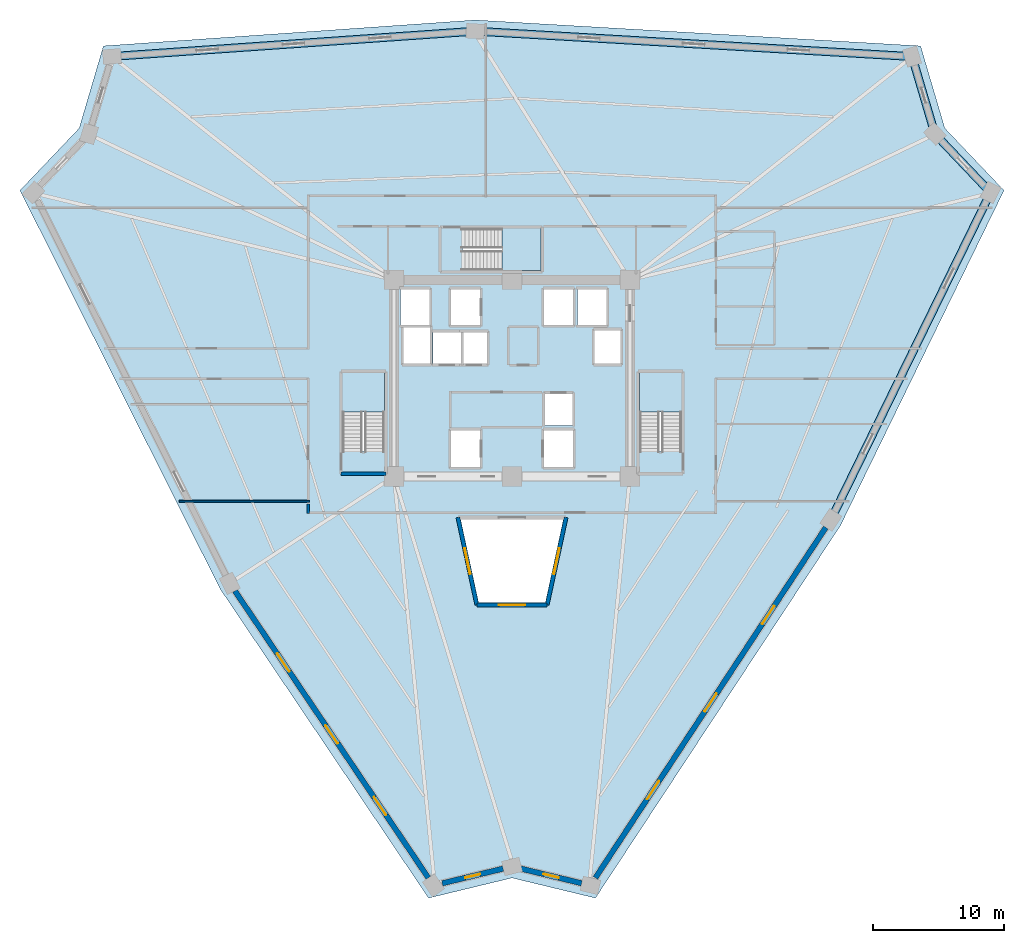
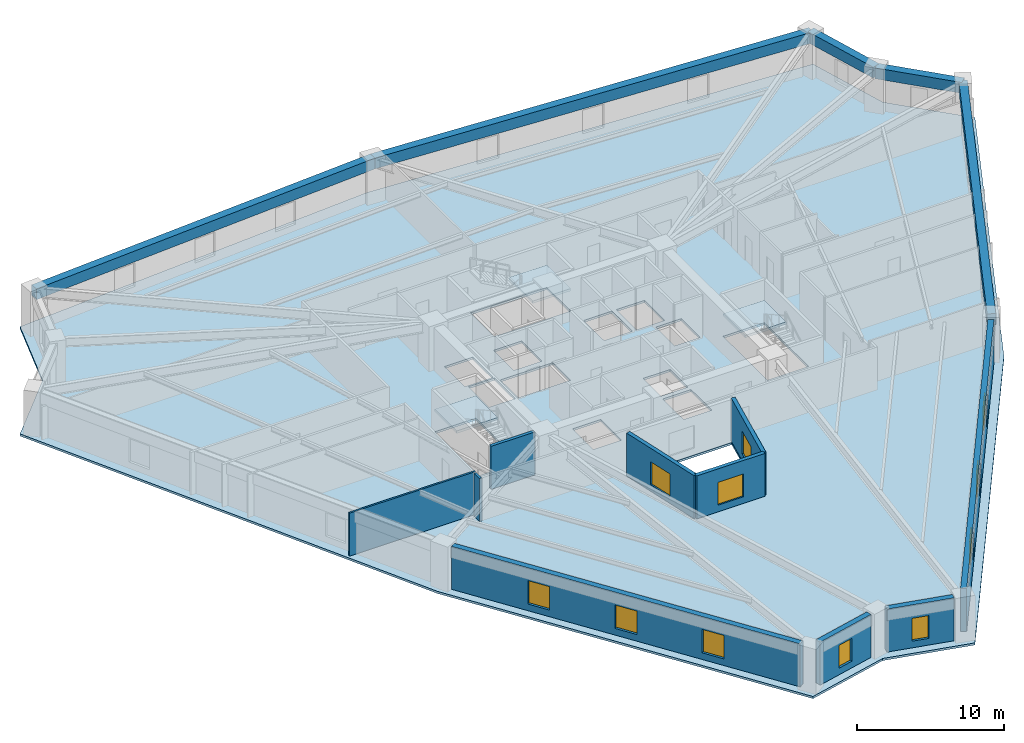
# One storey, part 2 of 7: 11 windows, 10 walls, 5 beams, 4 slabs, 11 openings, 3 elements without a shape of their own.
"""IFC4 building model written with IfcOpenShell, lengths in metres."""

import ifcopenshell
import ifcopenshell.guid

model = None  # the IFC model being written
_history = None  # IfcOwnerHistory: only IFC2X3 demands one
_inside = {}  # id of a spatial element -> (the spatial element, [elements in it])
_under = {}  # id of a project, library or spatial element -> (it, [spatial elements below it])
_declared = {}  # id of a project -> (the project, [libraries it declares])
_typed = {}  # id of a type object -> (the type object, [elements of that type])
_made_of = {}  # id of a material, layer set ... -> (it, [elements and type objects made of it])


def new_model(schema):
    """Start an empty IFC model of exactly this schema.

    Asked for "IFC4X3", IfcOpenShell would pick the latest addendum, in which some entities
    have other attributes; the version numbers below select the first issue.
    IFC2X3 requires an IfcOwnerHistory on every rooted entity: one is made here for all.
    """
    global model, _history
    if schema == "IFC4X3":
        model = ifcopenshell.file(schema_version=(4, 3, 0, 0))
    else:
        model = ifcopenshell.file(schema=schema)
    _inside.clear()
    _under.clear()
    _declared.clear()
    _typed.clear()
    _made_of.clear()
    _history = None
    if model.schema == "IFC2X3":
        org = make("IfcOrganization", Name="unknown")
        user = make(
            "IfcPersonAndOrganization",
            ThePerson=make("IfcPerson", FamilyName="unknown"),
            TheOrganization=org,
        )
        app = make(
            "IfcApplication",
            ApplicationDeveloper=org,
            Version="unknown",
            ApplicationFullName="unknown",
            ApplicationIdentifier="unknown",
        )
        _history = make(
            "IfcOwnerHistory",
            OwningUser=user,
            OwningApplication=app,
            ChangeAction="ADDED",
            CreationDate=0,
        )
    return model


def make(cls, **values):
    """One entity of the class cls with the attributes given. An attribute that is None is left unset."""
    return model.create_entity(
        cls, **{name: value for name, value in values.items() if value is not None}
    )


def rooted(cls, **values):
    """An entity with a GlobalId (a new one), such as an element, a storey or a relation."""
    return make(cls, GlobalId=ifcopenshell.guid.new(), OwnerHistory=_history, **values)


def si_unit(unit_type, name, prefix=None):
    """IfcSIUnit, for example si_unit("LENGTHUNIT", "METRE", prefix="MILLI")."""
    return make("IfcSIUnit", UnitType=unit_type, Prefix=prefix, Name=name)


def assignment(units):
    """IfcUnitAssignment: the units of a project."""
    return None if units is None else make("IfcUnitAssignment", Units=units)


def point(xyz):
    """IfcCartesianPoint."""
    return None if xyz is None else make("IfcCartesianPoint", Coordinates=xyz)


def direction(xyz):
    """IfcDirection."""
    return None if xyz is None else make("IfcDirection", DirectionRatios=xyz)


def frame(location, z_axis=None, x_axis=None):
    """IfcAxis2Placement3D, a coordinate frame: its origin and axes. An axis left out is left unset."""
    return make(
        "IfcAxis2Placement3D",
        Location=point(location),
        Axis=direction(z_axis),
        RefDirection=direction(x_axis),
    )


def frame_2d(location, x_axis=None):
    """IfcAxis2Placement2D, a coordinate frame in the plane: its origin and x axis."""
    return make(
        "IfcAxis2Placement2D", Location=point(location), RefDirection=direction(x_axis)
    )


def origin():
    """The frame at (0, 0, 0) with its axes left unset."""
    return frame((0.0, 0.0, 0.0))


def origin_2d():
    """The frame at (0, 0) in the plane with its x axis left unset."""
    return frame_2d((0.0, 0.0))


def place(relative_to, where):
    """IfcLocalPlacement: puts the frame where relative to a parent placement (None: the world)."""
    return make(
        "IfcLocalPlacement", PlacementRelTo=relative_to, RelativePlacement=where
    )


def context(
    kind, dimensions, precision=None, world=None, true_north=None, identifier=None
):
    """IfcGeometricRepresentationContext, for example the 3D "Model" context."""
    return make(
        "IfcGeometricRepresentationContext",
        ContextIdentifier=identifier,
        ContextType=kind,
        CoordinateSpaceDimension=dimensions,
        Precision=precision,
        WorldCoordinateSystem=world,
        TrueNorth=true_north,
    )


def subcontext(parent, identifier, kind, view, scale=None):
    """IfcGeometricRepresentationSubContext, for example "Body" below "Model"."""
    return make(
        "IfcGeometricRepresentationSubContext",
        ContextIdentifier=identifier,
        ContextType=kind,
        ParentContext=parent,
        TargetScale=scale,
        TargetView=view,
    )


def project(units=None, contexts=None):
    """IfcProject with its units and contexts."""
    return rooted(
        "IfcProject",
        Name="project",
        RepresentationContexts=contexts,
        UnitsInContext=assignment(units),
    )


def spatial(cls, under=None, at=None, **own):
    """A site, building, storey or space (cls), placed at a placement, below another one or the project."""
    s = rooted(cls, ObjectPlacement=at, **own)
    if under is not None:
        _under.setdefault(under.id(), (under, []))[1].append(s)
    return s


def polyline(points):
    """IfcPolyline through the points."""
    return make("IfcPolyline", Points=[point(p) for p in points])


def profile(cls, at=None, kind="AREA", **sizes):
    """A parametric profile (cls). Its sizes go by their IFC names, for example OverallWidth=200.0."""
    return make(cls, ProfileType=kind, Position=at, **sizes)


def rectangle(**sizes):
    """IfcRectangleProfileDef."""
    return profile("IfcRectangleProfileDef", **sizes)


def outline(outer, holes=None, kind="AREA"):
    """IfcArbitraryClosedProfileDef: a profile drawn as a closed curve; with holes, ...WithVoids."""
    if holes is None:
        return make("IfcArbitraryClosedProfileDef", ProfileType=kind, OuterCurve=outer)
    return make(
        "IfcArbitraryProfileDefWithVoids",
        ProfileType=kind,
        OuterCurve=outer,
        InnerCurves=holes,
    )


def extrude(swept, where, along, depth):
    """IfcExtrudedAreaSolid: the profile swept, set in the frame where, extruded along a direction by depth."""
    return make(
        "IfcExtrudedAreaSolid",
        SweptArea=swept,
        Position=where,
        ExtrudedDirection=direction(along),
        Depth=depth,
    )


def shape(context_of_items, identifier, shape_type, items):
    """IfcShapeRepresentation: the items that make up one representation, for example the "Body"."""
    return make(
        "IfcShapeRepresentation",
        ContextOfItems=context_of_items,
        RepresentationIdentifier=identifier,
        RepresentationType=shape_type,
        Items=items,
    )


def source(mapping_origin, context_of_items, identifier, shape_type, items):
    """IfcRepresentationMap: a shape defined once, which mapped items show again and again."""
    return make(
        "IfcRepresentationMap",
        MappingOrigin=mapping_origin,
        MappedRepresentation=shape(context_of_items, identifier, shape_type, items),
    )


def transform(
    local_origin,
    x_axis=None,
    y_axis=None,
    z_axis=None,
    scale=None,
    scale2=None,
    scale3=None,
    uniform=True,
):
    """IfcCartesianTransformationOperator3D, or its non-uniform kind. x_axis, y_axis, z_axis: its Axis1, 2, 3."""
    if uniform:
        return make(
            "IfcCartesianTransformationOperator3D",
            Axis1=direction(x_axis),
            Axis2=direction(y_axis),
            LocalOrigin=point(local_origin),
            Scale=scale,
            Axis3=direction(z_axis),
        )
    return make(
        "IfcCartesianTransformationOperator3DnonUniform",
        Axis1=direction(x_axis),
        Axis2=direction(y_axis),
        LocalOrigin=point(local_origin),
        Scale=scale,
        Axis3=direction(z_axis),
        Scale2=scale2,
        Scale3=scale3,
    )


def mapped(mapping_source, mapping_target):
    """IfcMappedItem: shows the shape of a source again, moved by a transform."""
    return make(
        "IfcMappedItem", MappingSource=mapping_source, MappingTarget=mapping_target
    )


def material(Name=None, Category=None):
    """IfcMaterial."""
    return make("IfcMaterial", Name=Name, Category=Category)


def layer(
    of_material, thickness, ventilated=None, Name=None, Category=None, Priority=None
):
    """IfcMaterialLayer: one layer of a wall or slab, of a material (None: an air gap)."""
    return make(
        "IfcMaterialLayer",
        Material=of_material,
        LayerThickness=thickness,
        IsVentilated=ventilated,
        Name=Name,
        Category=Category,
        Priority=Priority,
    )


def layer_set(layers, Name=None):
    """IfcMaterialLayerSet."""
    return make("IfcMaterialLayerSet", MaterialLayers=layers, LayerSetName=Name)


def material_profile(
    of_material, cross_section, Name=None, Category=None, Priority=None
):
    """IfcMaterialProfile: a cross section and its material."""
    return make(
        "IfcMaterialProfile",
        Name=Name,
        Material=of_material,
        Profile=cross_section,
        Priority=Priority,
        Category=Category,
    )


def profile_set(profiles, Name=None, composite=None):
    """IfcMaterialProfileSet."""
    return make(
        "IfcMaterialProfileSet",
        Name=Name,
        MaterialProfiles=profiles,
        CompositeProfile=composite,
    )


def made_of(thing, what):
    """Note that an element or type object is made of a material, layer set ...; save() writes the relation."""
    if what is not None:
        _made_of.setdefault(what.id(), (what, []))[1].append(thing)
    return thing


def type_object(cls, material=None, **own):
    """A type object (cls), such as IfcWallType, which elements share."""
    return made_of(rooted(cls, **own), material)


def element(
    cls,
    number,
    at=None,
    inside=None,
    cuts=None,
    type_object=None,
    material=None,
    context=None,
    identifier="Body",
    shape_type=None,
    held_by="IfcProductDefinitionShape",
    body=None,
    shapes=None,
    **own,
):
    """One element of the class cls, such as IfcWall. Its Tag is "e" and its number.

    at: its placement. inside: the storey or other place that contains it. cuts: it is an
    opening in that element (IfcRelVoidsElement). A single representation is given by context,
    identifier, shape_type and body (its items); several are given by shapes. held_by: the class
    of the entity that holds the representations. save() writes the other relations.
    """
    e = rooted(cls, Tag="e%d" % number, ObjectPlacement=at, **own)
    if body is not None:
        shapes = [shape(context, identifier, shape_type, body)]
    if shapes is not None:
        e.Representation = make(held_by, Representations=shapes)
    if inside is not None:
        _inside.setdefault(inside.id(), (inside, []))[1].append(e)
    if cuts is not None:
        rooted(
            "IfcRelVoidsElement", RelatingBuildingElement=cuts, RelatedOpeningElement=e
        )
    if type_object is not None:
        _typed.setdefault(type_object.id(), (type_object, []))[1].append(e)
    return made_of(e, material)


def fill(opening, filler):
    """IfcRelFillsElement: the door or window that sits in an opening."""
    return rooted(
        "IfcRelFillsElement",
        RelatingOpeningElement=opening,
        RelatedBuildingElement=filler,
    )


def aggregate(whole, parts):
    """IfcRelAggregates: a whole, such as a stair, and the parts it consists of."""
    return rooted("IfcRelAggregates", RelatingObject=whole, RelatedObjects=parts)


def save(model, path):
    """Write the relations noted so far, then the file.

    IfcRelAggregates (storeys below a building ...), IfcRelContainedInSpatialStructure (elements
    in a storey), IfcRelDefinesByType, IfcRelAssociatesMaterial and IfcRelDeclares: one each for
    every whole, place, type object, material and project.
    """
    for whole, parts in _under.values():
        aggregate(whole, parts)
    for where, things in _inside.values():
        rooted(
            "IfcRelContainedInSpatialStructure",
            RelatedElements=things,
            RelatingStructure=where,
        )
    for kind, things in _typed.values():
        rooted("IfcRelDefinesByType", RelatedObjects=things, RelatingType=kind)
    for what, things in _made_of.values():
        rooted("IfcRelAssociatesMaterial", RelatedObjects=things, RelatingMaterial=what)
    for by, libraries in _declared.values():
        rooted("IfcRelDeclares", RelatingContext=by, RelatedDefinitions=libraries)
    model.write(path)


model = new_model("IFC4")

# Units and contexts
model_context = context("Model", 3, precision=1e-05, world=origin(), true_north=direction((0.0, 1.0)))
body_context = subcontext(model_context, "Body", "Model", "MODEL_VIEW")
ifc_project = project(units=[si_unit("LENGTHUNIT", "METRE"), si_unit("AREAUNIT", "SQUARE_METRE"), si_unit("VOLUMEUNIT", "CUBIC_METRE"), si_unit("PLANEANGLEUNIT", "RADIAN"), si_unit("MASSUNIT", "GRAM", prefix="KILO")], contexts=[model_context])

# Site, building, storey
site_placement = place(None, origin())
site = spatial("IfcSite", under=ifc_project, at=site_placement, CompositionType="ELEMENT")
building_placement = place(site_placement, origin())
building = spatial("IfcBuilding", under=site, at=building_placement, Name="Liaohun Quay Tower", CompositionType="ELEMENT")
storey_placement = place(building_placement, frame((0.0, 0.0, 120.75)))
storey = spatial("IfcBuildingStorey", under=building, at=storey_placement, Name="L31", CompositionType="ELEMENT", Elevation=120.75)

# Beams
ifc_material_1 = material(Name="Precast concrete C55", Category="concrete")
ifc_material_profile = material_profile(ifc_material_1, rectangle(XDim=0.60009765625, YDim=0.89990234375, at=origin_2d()), Name="RC600x900")
ifc_profile_set = profile_set([ifc_material_profile], Name="Precast concrete C55")
beam_type = type_object("IfcBeamType", Name="BM-SPD-Z2", PredefinedType="SPANDREL", material=ifc_profile_set)
shared_shape_1 = source(origin(), body_context, "Body", "SweptSolid", [
    extrude(rectangle(XDim=0.60009765625, YDim=0.89990234375, at=origin_2d()), origin(), (0.0, 0.0, 1.0), 27.793212890625),
])
beam_1_placement = place(storey_placement, frame((29.472900390625, 78.54296875, 3.1201171875), z_axis=(0.997580714148, 0.069517758588, 0.0), x_axis=(-0.069517758588, 0.997580714148, 0.0)))
element("IfcBeam", 1, at=beam_1_placement, inside=storey, type_object=beam_type, Name="L31 Precast Spandrel Beam PC05-PC06", PredefinedType="SPANDREL", context=body_context, shape_type="MappedRepresentation", body=[
    mapped(shared_shape_1, transform((0.0, 0.0, 0.0), x_axis=(1.0, 0.0, 0.0), y_axis=(0.0, 1.0, 0.0), z_axis=(0.0, 0.0, 1.0), scale=1.0)),
])
shared_shape_2 = source(origin(), body_context, "Body", "SweptSolid", [
    extrude(rectangle(XDim=0.60009765625, YDim=0.89990234375, at=origin_2d()), origin(), (0.0, 0.0, 1.0), 33.386474609375),
])
beam_2_placement = place(storey_placement, frame((57.198974609375, 80.47509765625, 3.1201171875), z_axis=(0.99831171537, -0.058083723668, 0.0), x_axis=(0.058083723668, 0.99831171537, 0.0)))
element("IfcBeam", 2, at=beam_2_placement, inside=storey, type_object=beam_type, Name="L31 Precast Spandrel Beam PC06-PC07", PredefinedType="SPANDREL", context=body_context, shape_type="MappedRepresentation", body=[
    mapped(shared_shape_2, transform((0.0, 0.0, 0.0), x_axis=(1.0, 0.0, 0.0), y_axis=(0.0, 1.0, 0.0), z_axis=(0.0, 0.0, 1.0), scale=1.0)),
])
shared_shape_3 = source(origin(), body_context, "Body", "SweptSolid", [
    extrude(rectangle(XDim=0.60009765625, YDim=0.89990234375, at=origin_2d()), origin(), (0.0, 0.0, 1.0), 6.15576171875),
])
beam_3_placement = place(storey_placement, frame((90.529052734375, 78.535888671875, 3.1201171875), z_axis=(0.282657997194, -0.959220754895, 0.0), x_axis=(0.959220754895, 0.282657997194, 0.0)))
element("IfcBeam", 3, at=beam_3_placement, inside=storey, type_object=beam_type, Name="L31 Precast Spandrel Beam PC07-PC08", PredefinedType="SPANDREL", context=body_context, shape_type="MappedRepresentation", body=[
    mapped(shared_shape_3, transform((0.0, 0.0, 0.0), x_axis=(1.0, 0.0, 0.0), y_axis=(0.0, 1.0, 0.0), z_axis=(0.0, 0.0, 1.0), scale=1.0)),
])
shared_shape_4 = source(origin(), body_context, "Body", "SweptSolid", [
    extrude(rectangle(XDim=0.60009765625, YDim=0.89990234375, at=origin_2d()), origin(), (0.0, 0.0, 1.0), 6.164306640625),
])
beam_4_placement = place(storey_placement, frame((92.26904296875, 72.631103515625, 3.1201171875), z_axis=(0.689283238338, -0.724491971899, 0.0), x_axis=(0.724491971899, 0.689283238338, 0.0)))
element("IfcBeam", 4, at=beam_4_placement, inside=storey, type_object=beam_type, Name="L31 Precast Spandrel Beam PC08-PC09", PredefinedType="SPANDREL", context=body_context, shape_type="MappedRepresentation", body=[
    mapped(shared_shape_4, transform((0.0, 0.0, 0.0), x_axis=(1.0, 0.0, 0.0), y_axis=(0.0, 1.0, 0.0), z_axis=(0.0, 0.0, 1.0), scale=1.0)),
])
shared_shape_5 = source(origin(), body_context, "Body", "SweptSolid", [
    extrude(rectangle(XDim=0.60009765625, YDim=0.89990234375, at=origin_2d()), origin(), (0.0, 0.0, 1.0), 27.79248046875),
])
beam_5_placement = place(storey_placement, frame((96.51806640625, 68.1650390625, 3.1201171875), z_axis=(-0.438570044157, -0.898697010326, 0.0), x_axis=(0.898697010326, -0.438570044157, 0.0)))
element("IfcBeam", 5, at=beam_5_placement, inside=storey, type_object=beam_type, Name="L31 Precast Spandrel Beam PC09-PC10", PredefinedType="SPANDREL", context=body_context, shape_type="MappedRepresentation", body=[
    mapped(shared_shape_5, transform((0.0, 0.0, 0.0), x_axis=(1.0, 0.0, 0.0), y_axis=(0.0, 1.0, 0.0), z_axis=(0.0, 0.0, 1.0), scale=1.0)),
])

# Stair, slab
ifc_material_2 = material(Name="Concrete C45", Category="concrete")
stair_type = type_object("IfcStairType", Name="STR-CORE-OFF", PredefinedType="HALF_TURN_STAIR", material=ifc_material_2)
stair_1_placement = place(storey_placement, origin())
stair_1 = element("IfcStair", 6, at=stair_1_placement, inside=storey, type_object=stair_type, Name="L31 Smokeproof Core Exit Stair ST-1", PredefinedType="HALF_TURN_STAIR")
ifc_layer_1 = layer(ifc_material_2, 0.199951171875, Name="Concrete C45", Category="concrete")
ifc_layer_set_1 = layer_set([ifc_layer_1], Name="Concrete C45")
slab_type_1 = type_object("IfcSlabType", Name="SLB-LND-200", PredefinedType="LANDING", material=ifc_layer_set_1)
slab_1_placement = place(storey_placement, frame((0.0, 0.0, 1.675048828125)))
slab_1 = element("IfcSlab", 7, at=slab_1_placement, type_object=slab_type_1, Name="ST-1 landing 1", PredefinedType="LANDING", context=body_context, shape_type="SweptSolid", body=[
    extrude(outline(polyline([(50.280029296875, 51.429931640625), (50.280029296875, 54.419921875), (47.0400390625, 54.419921875), (47.0400390625, 51.429931640625), (50.280029296875, 51.429931640625)])), origin(), (0.0, 0.0, 1.0), 0.199951171875),
])
aggregate(stair_1, [slab_1])

stair_2_placement = place(storey_placement, origin())
stair_2 = element("IfcStair", 8, at=stair_2_placement, inside=storey, type_object=stair_type, Name="L31 Smokeproof Core Exit Stair ST-2", PredefinedType="HALF_TURN_STAIR")
slab_2_placement = place(storey_placement, frame((0.0, 0.0, 1.675048828125)))
slab_2 = element("IfcSlab", 9, at=slab_2_placement, type_object=slab_type_1, Name="ST-2 landing 1", PredefinedType="LANDING", context=body_context, shape_type="SweptSolid", body=[
    extrude(outline(polyline([(72.9599609375, 51.429931640625), (72.9599609375, 54.419921875), (69.719970703125, 54.419921875), (69.719970703125, 51.429931640625), (72.9599609375, 51.429931640625)])), origin(), (0.0, 0.0, 1.0), 0.199951171875),
])
aggregate(stair_2, [slab_2])

stair_3_placement = place(storey_placement, origin())
stair_3 = element("IfcStair", 10, at=stair_3_placement, inside=storey, type_object=stair_type, Name="L31 Smokeproof Core Exit Stair ST-3", PredefinedType="HALF_TURN_STAIR")
slab_3_placement = place(storey_placement, frame((0.0, 0.0, 1.675048828125)))
slab_3 = element("IfcSlab", 11, at=slab_3_placement, type_object=slab_type_1, Name="ST-3 landing 1", PredefinedType="LANDING", context=body_context, shape_type="SweptSolid", body=[
    extrude(outline(polyline([(59.22998046875, 62.199951171875), (62.219970703125, 62.199951171875), (62.219970703125, 65.43994140625), (59.22998046875, 65.43994140625), (59.22998046875, 62.199951171875)])), origin(), (0.0, 0.0, 1.0), 0.199951171875),
])
aggregate(stair_3, [slab_3])

# Slab
ifc_layer_2 = layer(ifc_material_2, 0.179931640625, Name="Concrete C45", Category="concrete")
ifc_layer_set_2 = layer_set([ifc_layer_2], Name="Concrete C45")
slab_type_2 = type_object("IfcSlabType", Name="SLB-OFF-180", PredefinedType="FLOOR", material=ifc_layer_set_2)
slab_4_placement = place(storey_placement, frame((0.0, 0.0, -0.179931640625)))
element("IfcSlab", 12, at=slab_4_placement, inside=storey, type_object=slab_type_2, Name="L31 Structural Floor Slab", PredefinedType="FLOOR", context=body_context, shape_type="SweptSolid", body=[
    extrude(outline(polyline([(53.633056640625, 14.326904296875), (60.0, 15.864013671875), (66.366943359375, 14.326904296875), (85.069091796875, 42.76611328125), (97.541015625, 68.322998046875), (93.02587890625, 73.068115234375), (91.175048828125, 79.35009765625), (57.194091796875, 81.326904296875), (28.824951171875, 79.35009765625), (26.97412109375, 73.068115234375), (22.458984375, 68.322998046875), (37.737060546875, 37.906982421875), (53.633056640625, 14.326904296875)]), holes=[polyline([(57.56005859375, 50.030029296875), (55.340087890625, 50.030029296875), (55.340087890625, 47.2099609375), (57.56005859375, 47.2099609375), (57.56005859375, 50.030029296875)]), polyline([(50.280029296875, 54.419921875), (47.0400390625, 54.419921875), (47.0400390625, 48.409912109375), (50.280029296875, 48.409912109375), (50.280029296875, 54.419921875)]), polyline([(53.989990234375, 55.090087890625), (58.110107421875, 55.090087890625), (58.110107421875, 57.510009765625), (53.989990234375, 57.510009765625), (53.989990234375, 55.090087890625)]), polyline([(53.760009765625, 55.090087890625), (53.760009765625, 57.909912109375), (51.7099609375, 57.909912109375), (51.7099609375, 55.090087890625), (53.760009765625, 55.090087890625)]), polyline([(53.7099609375, 58.0400390625), (53.7099609375, 60.7900390625), (51.489990234375, 60.7900390625), (51.489990234375, 58.0400390625), (53.7099609375, 58.0400390625)]), polyline([(57.56005859375, 58.0400390625), (57.56005859375, 60.7900390625), (55.340087890625, 60.7900390625), (55.340087890625, 58.0400390625), (57.56005859375, 58.0400390625)]), polyline([(62.219970703125, 62.199951171875), (62.219970703125, 65.43994140625), (56.2099609375, 65.43994140625), (56.2099609375, 62.199951171875), (62.219970703125, 62.199951171875)]), polyline([(62.5439453125, 36.862060546875), (63.9140625, 43.199951171875), (56.0859375, 43.199951171875), (57.4560546875, 36.862060546875), (62.5439453125, 36.862060546875)]), polyline([(64.659912109375, 47.2099609375), (64.659912109375, 50.030029296875), (62.43994140625, 50.030029296875), (62.43994140625, 47.2099609375), (64.659912109375, 47.2099609375)]), polyline([(72.9599609375, 54.419921875), (69.719970703125, 54.419921875), (69.719970703125, 48.409912109375), (72.9599609375, 48.409912109375), (72.9599609375, 54.419921875)]), polyline([(64.610107421875, 50.389892578125), (64.610107421875, 52.81005859375), (62.489990234375, 52.81005859375), (62.489990234375, 50.389892578125), (64.610107421875, 50.389892578125)]), polyline([(68.2900390625, 55.090087890625), (68.2900390625, 57.659912109375), (66.2900390625, 57.659912109375), (66.2900390625, 55.090087890625), (68.2900390625, 55.090087890625)]), polyline([(64.659912109375, 58.0400390625), (64.659912109375, 60.7900390625), (62.43994140625, 60.7900390625), (62.43994140625, 58.0400390625), (64.659912109375, 58.0400390625)]), polyline([(67.2099609375, 58.0400390625), (67.2099609375, 60.7900390625), (64.989990234375, 60.7900390625), (64.989990234375, 58.0400390625), (67.2099609375, 58.0400390625)])]), origin(), (0.0, 0.0, 1.0), 0.179931640625),
])

# Wall, opening, window
ifc_material_3 = material(Name="Concrete C50", Category="concrete")
ifc_layer_3 = layer(ifc_material_3, 0.300048828125, Name="Concrete C50", Category="concrete")
ifc_layer_set_3 = layer_set([ifc_layer_3], Name="Concrete C50")
wall_type_1 = type_object("IfcWallType", Name="WAL-ATR-300", PredefinedType="SOLIDWALL", material=ifc_layer_set_3)
wall_1_placement = place(storey_placement, frame((57.319091796875, 36.69189453125, 0.0), z_axis=(0.0, 0.0, 1.0), x_axis=(-0.211354012172, 0.977409577168, 0.0)))
wall_1 = element("IfcWall", 13, at=wall_1_placement, inside=storey, type_object=wall_type_1, Name="L31 Atrium Fire Compartment Wall 1", PredefinedType="SOLIDWALL", context=body_context, shape_type="SweptSolid", body=[
    extrude(rectangle(XDim=6.83251953125, YDim=0.300048828125, at=frame_2d((3.416259765625, 0.0))), origin(), (0.0, 0.0, 1.0), 3.570068359375),
])
shared_shape_6 = source(origin(), body_context, "Body", "SweptSolid", [
    extrude(rectangle(XDim=2.0, YDim=1.89990234375, at=frame_2d((1.0, 0.949951171875))), frame((0.0, 0.159912109375, 0.0), z_axis=(0.0, -1.0, 0.0), x_axis=(1.0, 0.0, 0.0)), (0.0, 0.0, 1.0), 0.320068359375),
])
opening_1_placement = place(wall_1_placement, frame((2.416015625, 0.0, 0.550048828125)))
opening_1 = element("IfcOpeningElement", 14, at=opening_1_placement, cuts=wall_1, Name="Opening W07", PredefinedType="OPENING", context=body_context, shape_type="MappedRepresentation", body=[
    mapped(shared_shape_6, transform((0.0, 0.0, 0.0), x_axis=(1.0, 0.0, 0.0), y_axis=(0.0, 1.0, 0.0), z_axis=(0.0, 0.0, 1.0), scale=1.0)),
])
ifc_material_4 = material(Name="Class A 180-min fire-resistant insulated glazing", Category="glass")
window_type_1 = type_object("IfcWindowType", Name="WIN-ATR-FIR", PartitioningType="DOUBLE_PANEL_VERTICAL", PredefinedType="WINDOW", material=ifc_material_4)
shared_shape_7 = source(origin(), body_context, "Body", "SweptSolid", [
    extrude(rectangle(XDim=2.0, YDim=1.89990234375, at=frame_2d((1.0, 0.949951171875))), frame((0.0, 0.030029296875, 0.0), z_axis=(0.0, -1.0, 0.0), x_axis=(1.0, 0.0, 0.0)), (0.0, 0.0, 1.0), 0.06005859375),
])
window_1_placement = place(opening_1_placement, origin())
window_1 = element("IfcWindow", 15, at=window_1_placement, inside=storey, type_object=window_type_1, Name="L31 Atrium Fire-Resistant Glazing W07-1", OverallHeight=1.89990234375, OverallWidth=2.0, PartitioningType="DOUBLE_PANEL_VERTICAL", PredefinedType="WINDOW", context=body_context, shape_type="MappedRepresentation", body=[
    mapped(shared_shape_7, transform((0.0, 0.0, 0.0), x_axis=(1.0, 0.0, 0.0), y_axis=(0.0, 1.0, 0.0), z_axis=(0.0, 0.0, 1.0), scale=1.0)),
])
fill(opening_1, window_1)

wall_2_placement = place(storey_placement, frame((64.125, 43.3701171875, 0.0), z_axis=(0.0, 0.0, 1.0), x_axis=(-0.211354012172, -0.977409577168, 0.0)))
wall_2 = element("IfcWall", 16, at=wall_2_placement, inside=storey, type_object=wall_type_1, Name="L31 Atrium Fire Compartment Wall 3", PredefinedType="SOLIDWALL", context=body_context, shape_type="SweptSolid", body=[
    extrude(rectangle(XDim=6.83251953125, YDim=0.300048828125, at=frame_2d((3.416259765625, 0.0))), origin(), (0.0, 0.0, 1.0), 3.570068359375),
])
opening_2_placement = place(wall_2_placement, frame((2.416015625, 0.0, 0.550048828125)))
opening_2 = element("IfcOpeningElement", 17, at=opening_2_placement, cuts=wall_2, Name="Opening W07", PredefinedType="OPENING", context=body_context, shape_type="MappedRepresentation", body=[
    mapped(shared_shape_6, transform((0.0, 0.0, 0.0), x_axis=(1.0, 0.0, 0.0), y_axis=(0.0, 1.0, 0.0), z_axis=(0.0, 0.0, 1.0), scale=1.0)),
])
window_2_placement = place(opening_2_placement, origin())
window_2 = element("IfcWindow", 18, at=window_2_placement, inside=storey, type_object=window_type_1, Name="L31 Atrium Fire-Resistant Glazing W07-3", OverallHeight=1.89990234375, OverallWidth=2.0, PartitioningType="DOUBLE_PANEL_VERTICAL", PredefinedType="WINDOW", context=body_context, shape_type="MappedRepresentation", body=[
    mapped(shared_shape_7, transform((0.0, 0.0, 0.0), x_axis=(1.0, 0.0, 0.0), y_axis=(0.0, 1.0, 0.0), z_axis=(0.0, 0.0, 1.0), scale=1.0)),
])
fill(opening_2, window_2)

wall_3_placement = place(storey_placement, frame((62.680908203125, 36.69189453125, 0.0), z_axis=(0.0, 0.0, 1.0), x_axis=(-1.0, 0.0, 0.0)))
wall_3 = element("IfcWall", 19, at=wall_3_placement, inside=storey, type_object=wall_type_1, Name="L31 Atrium Fire Compartment Wall 4", PredefinedType="SOLIDWALL", context=body_context, shape_type="SweptSolid", body=[
    extrude(rectangle(XDim=5.36181640625, YDim=0.300048828125, at=frame_2d((2.680908203125, 0.0))), origin(), (0.0, 0.0, 1.0), 3.570068359375),
])
opening_3_placement = place(wall_3_placement, frame((1.680908203125, 0.0, 0.550048828125)))
opening_3 = element("IfcOpeningElement", 20, at=opening_3_placement, cuts=wall_3, Name="Opening W07", PredefinedType="OPENING", context=body_context, shape_type="MappedRepresentation", body=[
    mapped(shared_shape_6, transform((0.0, 0.0, 0.0), x_axis=(1.0, 0.0, 0.0), y_axis=(0.0, 1.0, 0.0), z_axis=(0.0, 0.0, 1.0), scale=1.0)),
])
window_3_placement = place(opening_3_placement, origin())
window_3 = element("IfcWindow", 21, at=window_3_placement, inside=storey, type_object=window_type_1, Name="L31 Atrium Fire-Resistant Glazing W07-4", OverallHeight=1.89990234375, OverallWidth=2.0, PartitioningType="DOUBLE_PANEL_VERTICAL", PredefinedType="WINDOW", context=body_context, shape_type="MappedRepresentation", body=[
    mapped(shared_shape_7, transform((0.0, 0.0, 0.0), x_axis=(1.0, 0.0, 0.0), y_axis=(0.0, 1.0, 0.0), z_axis=(0.0, 0.0, 1.0), scale=1.0)),
])
fill(opening_3, window_3)

ifc_material_5 = material(Name="Precast concrete C50 insulated sandwich", Category="concrete")
ifc_layer_4 = layer(ifc_material_5, 0.419921875, Name="Precast concrete C50 insulated sandwich", Category="concrete")
ifc_layer_set_4 = layer_set([ifc_layer_4], Name="Precast concrete C50 insulated sandwich")
wall_type_2 = type_object("IfcWallType", Name="WAL-EXT-Z12", PredefinedType="SOLIDWALL", material=ifc_layer_set_4)
wall_4_placement = place(storey_placement, frame((60.6708984375, 16.575927734375, 0.0), z_axis=(0.0, 0.0, 1.0), x_axis=(0.972123603118, -0.23446897505, 0.0)))
wall_4 = element("IfcWall", 22, at=wall_4_placement, inside=storey, type_object=wall_type_2, Name="L31 Brutalist Precast Pier Wall 01", PredefinedType="SOLIDWALL", context=body_context, shape_type="SweptSolid", body=[
    extrude(rectangle(XDim=4.776123046875, YDim=0.419921875, at=frame_2d((2.38818359375, 0.0))), origin(), (0.0, 0.0, 1.0), 3.570068359375),
])
shared_shape_8 = source(origin(), body_context, "Body", "SweptSolid", [
    extrude(rectangle(XDim=1.199951171875, YDim=1.89990234375, at=frame_2d((0.60009765625, 0.949951171875))), frame((0.0, 0.219970703125, 0.0), z_axis=(0.0, -1.0, 0.0), x_axis=(1.0, 0.0, 0.0)), (0.0, 0.0, 1.0), 0.43994140625),
])
opening_4_placement = place(wall_4_placement, frame((1.7880859375, 0.0, 0.550048828125)))
opening_4 = element("IfcOpeningElement", 23, at=opening_4_placement, cuts=wall_4, Name="Opening W05", PredefinedType="OPENING", context=body_context, shape_type="MappedRepresentation", body=[
    mapped(shared_shape_8, transform((0.0, 0.0, 0.0), x_axis=(1.0, 0.0, 0.0), y_axis=(0.0, 1.0, 0.0), z_axis=(0.0, 0.0, 1.0), scale=1.0)),
])
ifc_material_6 = material(Name="Triple Low-E corner notch glazing", Category="glass")
window_type_2 = type_object("IfcWindowType", Name="WIN-NOTCH", PartitioningType="SINGLE_PANEL", PredefinedType="WINDOW", material=ifc_material_6)
shared_shape_9 = source(origin(), body_context, "Body", "SweptSolid", [
    extrude(rectangle(XDim=1.199951171875, YDim=1.89990234375, at=frame_2d((0.60009765625, 0.949951171875))), frame((0.0, 0.030029296875, 0.0), z_axis=(0.0, -1.0, 0.0), x_axis=(1.0, 0.0, 0.0)), (0.0, 0.0, 1.0), 0.06005859375),
])
window_4_placement = place(opening_4_placement, origin())
window_4 = element("IfcWindow", 24, at=window_4_placement, inside=storey, type_object=window_type_2, Name="L31 Corner Notch Window W05-01", OverallHeight=1.89990234375, OverallWidth=1.199951171875, PartitioningType="SINGLE_PANEL", PredefinedType="WINDOW", context=body_context, shape_type="MappedRepresentation", body=[
    mapped(shared_shape_9, transform((0.0, 0.0, 0.0), x_axis=(1.0, 0.0, 0.0), y_axis=(0.0, 1.0, 0.0), z_axis=(0.0, 0.0, 1.0), scale=1.0)),
])
fill(opening_4, window_4)

# Wall, openings, windows
wall_5_placement = place(storey_placement, frame((66.364013671875, 15.87109375, 0.0), z_axis=(0.0, 0.0, 1.0), x_axis=(0.549482134423, 0.83550546614, 0.0)))
wall_5 = element("IfcWall", 25, at=wall_5_placement, inside=storey, type_object=wall_type_2, Name="L31 Brutalist Precast Pier Wall 02", PredefinedType="SOLIDWALL", context=body_context, shape_type="SweptSolid", body=[
    extrude(rectangle(XDim=32.004638671875, YDim=0.419921875, at=frame_2d((16.00244140625, 0.0))), origin(), (0.0, 0.0, 1.0), 3.570068359375),
])
shared_shape_10 = source(origin(), body_context, "Body", "SweptSolid", [
    extrude(rectangle(XDim=1.64990234375, YDim=1.949951171875, at=frame_2d((0.824951171875, 0.97509765625))), frame((0.0, 0.219970703125, 0.0), z_axis=(0.0, -1.0, 0.0), x_axis=(1.0, 0.0, 0.0)), (0.0, 0.0, 1.0), 0.43994140625),
])
opening_5_placement = place(wall_5_placement, frame((7.176025390625, 0.0, 0.550048828125)))
opening_5 = element("IfcOpeningElement", 26, at=opening_5_placement, cuts=wall_5, Name="Opening W02", PredefinedType="OPENING", context=body_context, shape_type="MappedRepresentation", body=[
    mapped(shared_shape_10, transform((0.0, 0.0, 0.0), x_axis=(1.0, 0.0, 0.0), y_axis=(0.0, 1.0, 0.0), z_axis=(0.0, 0.0, 1.0), scale=1.0)),
])
opening_6_placement = place(wall_5_placement, frame((15.177001953125, 0.0, 0.550048828125)))
opening_6 = element("IfcOpeningElement", 27, at=opening_6_placement, cuts=wall_5, Name="Opening W02", PredefinedType="OPENING", context=body_context, shape_type="MappedRepresentation", body=[
    mapped(shared_shape_10, transform((0.0, 0.0, 0.0), x_axis=(1.0, 0.0, 0.0), y_axis=(0.0, 1.0, 0.0), z_axis=(0.0, 0.0, 1.0), scale=1.0)),
])
opening_7_placement = place(wall_5_placement, frame((23.177978515625, 0.0, 0.550048828125)))
opening_7 = element("IfcOpeningElement", 28, at=opening_7_placement, cuts=wall_5, Name="Opening W02", PredefinedType="OPENING", context=body_context, shape_type="MappedRepresentation", body=[
    mapped(shared_shape_10, transform((0.0, 0.0, 0.0), x_axis=(1.0, 0.0, 0.0), y_axis=(0.0, 1.0, 0.0), z_axis=(0.0, 0.0, 1.0), scale=1.0)),
])
ifc_material_7 = material(Name="Triple Low-E argon glazing in thermally broken aluminium", Category="aluminium")
window_type_3 = type_object("IfcWindowType", Name="WIN-PUN-Z2", PartitioningType="DOUBLE_PANEL_VERTICAL", PredefinedType="WINDOW", material=ifc_material_7)
shared_shape_11 = source(origin(), body_context, "Body", "SweptSolid", [
    extrude(rectangle(XDim=1.64990234375, YDim=1.949951171875, at=frame_2d((0.824951171875, 0.97509765625))), frame((0.0, 0.030029296875, 0.0), z_axis=(0.0, -1.0, 0.0), x_axis=(1.0, 0.0, 0.0)), (0.0, 0.0, 1.0), 0.06005859375),
])
window_5_placement = place(opening_5_placement, origin())
window_5 = element("IfcWindow", 29, at=window_5_placement, inside=storey, type_object=window_type_3, Name="L31 Recessed Cold-Climate Punched Window 02-1", OverallHeight=1.949951171875, OverallWidth=1.64990234375, PartitioningType="DOUBLE_PANEL_VERTICAL", PredefinedType="WINDOW", context=body_context, shape_type="MappedRepresentation", body=[
    mapped(shared_shape_11, transform((0.0, 0.0, 0.0), x_axis=(1.0, 0.0, 0.0), y_axis=(0.0, 1.0, 0.0), z_axis=(0.0, 0.0, 1.0), scale=1.0)),
])
fill(opening_5, window_5)
window_6_placement = place(opening_6_placement, origin())
window_6 = element("IfcWindow", 30, at=window_6_placement, inside=storey, type_object=window_type_3, Name="L31 Recessed Cold-Climate Punched Window 02-2", OverallHeight=1.949951171875, OverallWidth=1.64990234375, PartitioningType="DOUBLE_PANEL_VERTICAL", PredefinedType="WINDOW", context=body_context, shape_type="MappedRepresentation", body=[
    mapped(shared_shape_11, transform((0.0, 0.0, 0.0), x_axis=(1.0, 0.0, 0.0), y_axis=(0.0, 1.0, 0.0), z_axis=(0.0, 0.0, 1.0), scale=1.0)),
])
fill(opening_6, window_6)
window_7_placement = place(opening_7_placement, origin())
window_7 = element("IfcWindow", 31, at=window_7_placement, inside=storey, type_object=window_type_3, Name="L31 Recessed Cold-Climate Punched Window 02-3", OverallHeight=1.949951171875, OverallWidth=1.64990234375, PartitioningType="DOUBLE_PANEL_VERTICAL", PredefinedType="WINDOW", context=body_context, shape_type="MappedRepresentation", body=[
    mapped(shared_shape_11, transform((0.0, 0.0, 0.0), x_axis=(1.0, 0.0, 0.0), y_axis=(0.0, 1.0, 0.0), z_axis=(0.0, 0.0, 1.0), scale=1.0)),
])
fill(opening_7, window_7)

wall_6_placement = place(storey_placement, frame((38.85791015625, 37.764892578125, 0.0), z_axis=(0.0, 0.0, 1.0), x_axis=(0.558980308559, -0.82918092998, 0.0)))
wall_6 = element("IfcWall", 32, at=wall_6_placement, inside=storey, type_object=wall_type_2, Name="L31 Brutalist Precast Pier Wall 11", PredefinedType="SOLIDWALL", context=body_context, shape_type="SweptSolid", body=[
    extrude(rectangle(XDim=26.41259765625, YDim=0.419921875, at=frame_2d((13.206298828125, 0.0))), origin(), (0.0, 0.0, 1.0), 3.570068359375),
])
opening_8_placement = place(wall_6_placement, frame((5.778076171875, 0.0, 0.550048828125)))
opening_8 = element("IfcOpeningElement", 33, at=opening_8_placement, cuts=wall_6, Name="Opening W02", PredefinedType="OPENING", context=body_context, shape_type="MappedRepresentation", body=[
    mapped(shared_shape_10, transform((0.0, 0.0, 0.0), x_axis=(1.0, 0.0, 0.0), y_axis=(0.0, 1.0, 0.0), z_axis=(0.0, 0.0, 1.0), scale=1.0)),
])
opening_9_placement = place(wall_6_placement, frame((12.381103515625, 0.0, 0.550048828125)))
opening_9 = element("IfcOpeningElement", 34, at=opening_9_placement, cuts=wall_6, Name="Opening W02", PredefinedType="OPENING", context=body_context, shape_type="MappedRepresentation", body=[
    mapped(shared_shape_10, transform((0.0, 0.0, 0.0), x_axis=(1.0, 0.0, 0.0), y_axis=(0.0, 1.0, 0.0), z_axis=(0.0, 0.0, 1.0), scale=1.0)),
])
opening_10_placement = place(wall_6_placement, frame((18.985107421875, 0.0, 0.550048828125)))
opening_10 = element("IfcOpeningElement", 35, at=opening_10_placement, cuts=wall_6, Name="Opening W02", PredefinedType="OPENING", context=body_context, shape_type="MappedRepresentation", body=[
    mapped(shared_shape_10, transform((0.0, 0.0, 0.0), x_axis=(1.0, 0.0, 0.0), y_axis=(0.0, 1.0, 0.0), z_axis=(0.0, 0.0, 1.0), scale=1.0)),
])
window_8_placement = place(opening_8_placement, origin())
window_8 = element("IfcWindow", 36, at=window_8_placement, inside=storey, type_object=window_type_3, Name="L31 Recessed Cold-Climate Punched Window 11-1", OverallHeight=1.949951171875, OverallWidth=1.64990234375, PartitioningType="DOUBLE_PANEL_VERTICAL", PredefinedType="WINDOW", context=body_context, shape_type="MappedRepresentation", body=[
    mapped(shared_shape_11, transform((0.0, 0.0, 0.0), x_axis=(1.0, 0.0, 0.0), y_axis=(0.0, 1.0, 0.0), z_axis=(0.0, 0.0, 1.0), scale=1.0)),
])
fill(opening_8, window_8)
window_9_placement = place(opening_9_placement, origin())
window_9 = element("IfcWindow", 37, at=window_9_placement, inside=storey, type_object=window_type_3, Name="L31 Recessed Cold-Climate Punched Window 11-2", OverallHeight=1.949951171875, OverallWidth=1.64990234375, PartitioningType="DOUBLE_PANEL_VERTICAL", PredefinedType="WINDOW", context=body_context, shape_type="MappedRepresentation", body=[
    mapped(shared_shape_11, transform((0.0, 0.0, 0.0), x_axis=(1.0, 0.0, 0.0), y_axis=(0.0, 1.0, 0.0), z_axis=(0.0, 0.0, 1.0), scale=1.0)),
])
fill(opening_9, window_9)
window_10_placement = place(opening_10_placement, origin())
window_10 = element("IfcWindow", 38, at=window_10_placement, inside=storey, type_object=window_type_3, Name="L31 Recessed Cold-Climate Punched Window 11-3", OverallHeight=1.949951171875, OverallWidth=1.64990234375, PartitioningType="DOUBLE_PANEL_VERTICAL", PredefinedType="WINDOW", context=body_context, shape_type="MappedRepresentation", body=[
    mapped(shared_shape_11, transform((0.0, 0.0, 0.0), x_axis=(1.0, 0.0, 0.0), y_axis=(0.0, 1.0, 0.0), z_axis=(0.0, 0.0, 1.0), scale=1.0)),
])
fill(opening_10, window_10)

# Wall, opening, window
wall_7_placement = place(storey_placement, frame((54.678955078125, 15.4541015625, 0.0), z_axis=(0.0, 0.0, 1.0), x_axis=(0.972111905775, 0.234517467687, 0.0)))
wall_7 = element("IfcWall", 39, at=wall_7_placement, inside=storey, type_object=wall_type_2, Name="L31 Brutalist Precast Pier Wall 12", PredefinedType="SOLIDWALL", context=body_context, shape_type="SweptSolid", body=[
    extrude(rectangle(XDim=4.783447265625, YDim=0.419921875, at=frame_2d((2.3916015625, 0.0))), origin(), (0.0, 0.0, 1.0), 3.570068359375),
])
opening_11_placement = place(wall_7_placement, frame((1.7919921875, 0.0, 0.550048828125)))
opening_11 = element("IfcOpeningElement", 40, at=opening_11_placement, cuts=wall_7, Name="Opening W05", PredefinedType="OPENING", context=body_context, shape_type="MappedRepresentation", body=[
    mapped(shared_shape_8, transform((0.0, 0.0, 0.0), x_axis=(1.0, 0.0, 0.0), y_axis=(0.0, 1.0, 0.0), z_axis=(0.0, 0.0, 1.0), scale=1.0)),
])
window_11_placement = place(opening_11_placement, origin())
window_11 = element("IfcWindow", 41, at=window_11_placement, inside=storey, type_object=window_type_2, Name="L31 Corner Notch Window W05-12", OverallHeight=1.89990234375, OverallWidth=1.199951171875, PartitioningType="SINGLE_PANEL", PredefinedType="WINDOW", context=body_context, shape_type="MappedRepresentation", body=[
    mapped(shared_shape_9, transform((0.0, 0.0, 0.0), x_axis=(1.0, 0.0, 0.0), y_axis=(0.0, 1.0, 0.0), z_axis=(0.0, 0.0, 1.0), scale=1.0)),
])
fill(opening_11, window_11)

# Walls
ifc_material_8 = material(Name="Autoclaved aerated concrete blockwork", Category="masonry")
ifc_layer_5 = layer(ifc_material_8, 0.179931640625, Name="Autoclaved aerated concrete blockwork", Category="masonry")
ifc_layer_set_5 = layer_set([ifc_layer_5], Name="Autoclaved aerated concrete blockwork")
wall_type_3 = type_object("IfcWallType", Name="WAL-PRT-COR", PredefinedType="PARTITIONING", material=ifc_layer_set_5)
wall_8_placement = place(storey_placement, frame((44.43994140625, 43.669921875, 0.0), z_axis=(0.0, 0.0, 1.0), x_axis=(0.0, 1.0, 0.0)))
element("IfcWall", 42, at=wall_8_placement, inside=storey, type_object=wall_type_3, Name="L31 Interior Partition Wall 034", PredefinedType="PARTITIONING", context=body_context, shape_type="SweptSolid", body=[
    extrude(rectangle(XDim=0.715087890625, YDim=0.179931640625, at=frame_2d((0.357421875, 0.0))), origin(), (0.0, 0.0, 1.0), 3.570068359375),
])
ifc_material_9 = material(Name="Gypsum board on twin steel studs", Category="steel")
ifc_layer_6 = layer(ifc_material_9, 0.139892578125, Name="Gypsum board on twin steel studs", Category="steel")
ifc_layer_set_6 = layer_set([ifc_layer_6], Name="Gypsum board on twin steel studs")
wall_type_4 = type_object("IfcWallType", Name="WAL-PRT-OFF", PredefinedType="PARTITIONING", material=ifc_layer_set_6)
wall_9_placement = place(storey_placement, frame((44.5400390625, 44.60009765625, 0.0), z_axis=(0.0, 0.0, 1.0), x_axis=(-1.0, 0.0, 0.0)))
element("IfcWall", 43, at=wall_9_placement, inside=storey, type_object=wall_type_4, Name="L31 Interior Partition Wall 037", PredefinedType="PARTITIONING", context=body_context, shape_type="SweptSolid", body=[
    extrude(rectangle(XDim=9.9189453125, YDim=0.139892578125, at=frame_2d((4.95947265625, 0.0))), origin(), (0.0, 0.0, 1.0), 3.570068359375),
])
ifc_layer_7 = layer(ifc_material_3, 0.239990234375, Name="Concrete C50", Category="concrete")
ifc_layer_set_7 = layer_set([ifc_layer_7], Name="Concrete C50")
wall_type_5 = type_object("IfcWallType", Name="WAL-SHF-200", PredefinedType="SOLIDWALL", material=ifc_layer_set_7)
wall_10_placement = place(storey_placement, frame((46.93994140625, 46.699951171875, 0.0), z_axis=(0.0, 0.0, 1.0), x_axis=(1.0, 0.0, 0.0)))
element("IfcWall", 44, at=wall_10_placement, inside=storey, type_object=wall_type_5, Name="L31 Stairwell ST-1 Structural Core Wall S", PredefinedType="SOLIDWALL", context=body_context, shape_type="SweptSolid", body=[
    extrude(rectangle(XDim=3.43994140625, YDim=0.239990234375, at=frame_2d((1.719970703125, 0.0))), origin(), (0.0, 0.0, 1.0), 3.570068359375),
])

save(model, "model.ifc")
